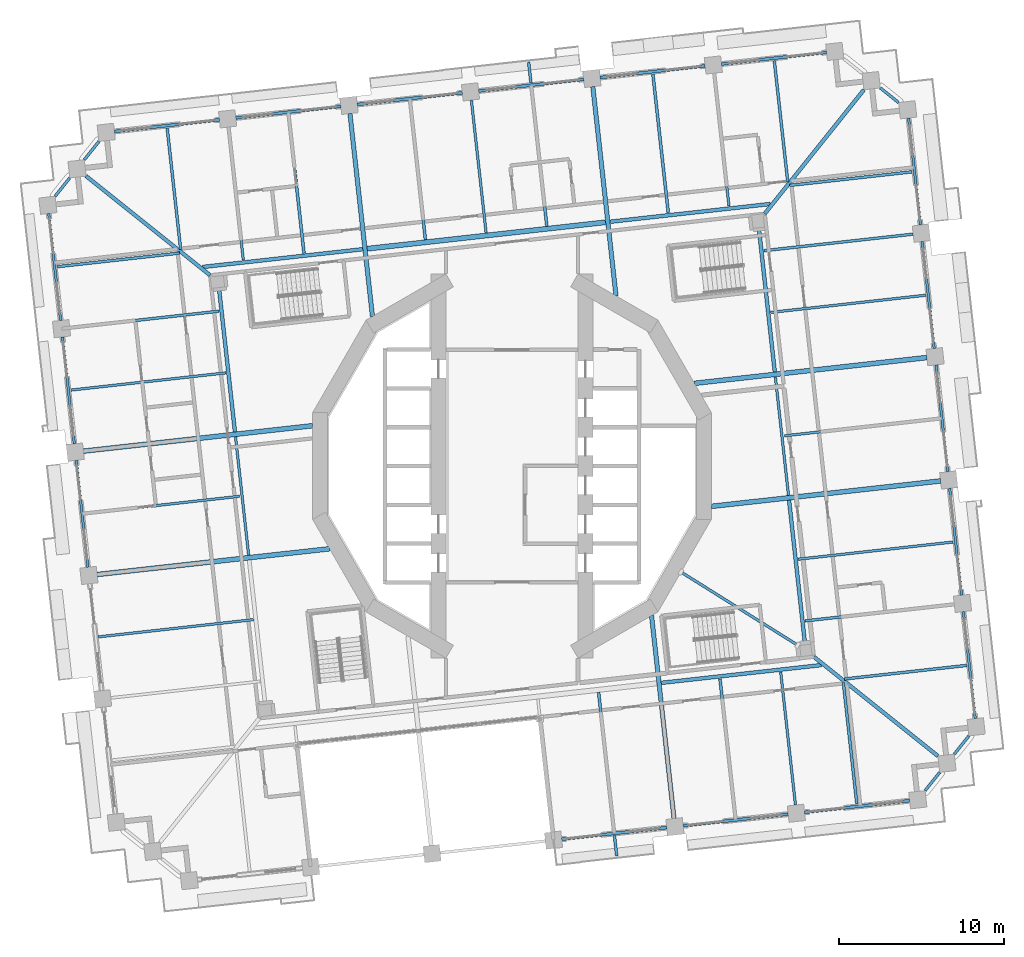
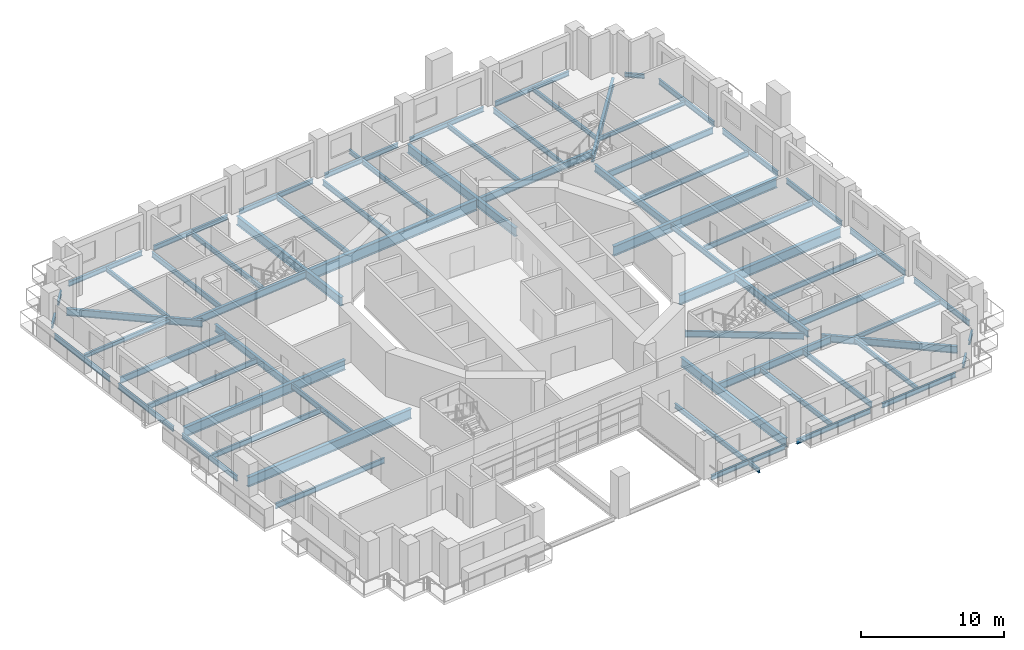
# One storey, part 4 of 21: 69 beams.
"""IFC4 building model written with IfcOpenShell, lengths in metres."""

from ifc_helpers import new_model, si_unit, direction, frame, origin, origin_2d, place, context, subcontext, project, spatial, i_section, extrude, material, material_profile, profile_set, type_object, element, save


model = new_model("IFC4")

# Units and contexts
model_context = context("Model", 3, precision=1e-05, world=origin(), true_north=direction((0.0, 1.0)))
body_context = subcontext(model_context, "Body", "Model", "MODEL_VIEW")
ifc_project = project(units=[si_unit("LENGTHUNIT", "METRE"), si_unit("AREAUNIT", "SQUARE_METRE"), si_unit("VOLUMEUNIT", "CUBIC_METRE"), si_unit("PLANEANGLEUNIT", "RADIAN"), si_unit("MASSUNIT", "GRAM", prefix="KILO")], contexts=[model_context])

# Site, building, storey
site_placement = place(None, origin())
site = spatial("IfcSite", under=ifc_project, at=site_placement, CompositionType="ELEMENT")
building_placement = place(site_placement, origin())
building = spatial("IfcBuilding", under=site, at=building_placement, Name="Cantera Rosa Tower", CompositionType="ELEMENT")
storey_placement = place(building_placement, frame((0.0, 0.0, 80.5)))
storey = spatial("IfcBuildingStorey", under=building, at=storey_placement, Name="L17", CompositionType="ELEMENT", Elevation=80.5)

# Beams
ifc_material_1 = material(Name="Steel ASTM A992 (Fy 345 MPa)", Category="steel")
ifc_material_profile_1 = material_profile(ifc_material_1, i_section(OverallWidth=0.154052734375, OverallDepth=0.4599609375, WebThickness=0.009033203125, FlangeThickness=0.015380859375, FilletRadius=0.01025390625, at=origin_2d()), Name="W460X68")
ifc_profile_set_1 = profile_set([ifc_material_profile_1], Name="Steel ASTM A992 (Fy 345 MPa)")
beam_type_1 = type_object("IfcBeamType", Name="STEEL BEAM W460X68", PredefinedType="BEAM", material=ifc_profile_set_1)
beam_1_placement = place(storey_placement, frame((12.249755859375, 23.796630859375, -0.47998046875), z_axis=(0.110312435488, -0.993896959738, 0.0), x_axis=(0.993896959738, 0.110312435488, 0.0)))
element("IfcBeam", 1, at=beam_1_placement, inside=storey, type_object=beam_type_1, Name="G-Z1-05 L17", PredefinedType="BEAM", context=body_context, shape_type="SweptSolid", body=[
    extrude(i_section(OverallWidth=0.154052734375, OverallDepth=0.4599609375, WebThickness=0.009033203125, FlangeThickness=0.015380859375, FilletRadius=0.01025390625, at=origin_2d()), origin(), (0.0, 0.0, 1.0), 8.10009765625),
])
for number, where, z_axis, x_axis, name in (
    (2, (-2.4599609375, 22.163818359375, -0.47998046875), (0.110315740112, -0.993896592953, 0.0), (0.993896592953, 0.110315740112, 0.0), "G-Z1-07 L17"),
    (3, (-17.169677734375, 20.53125, -0.47998046875), (0.110315740112, -0.993896592953, 0.0), (0.993896592953, 0.110315740112, 0.0), "G-Z1-09 L17"),
    (4, (17.169677734375, -20.53125, -0.47998046875), (-0.110315740112, 0.993896592953, 0.0), (-0.993896592953, -0.110315740112, 0.0), "G-Z1-14 L17"),
):
    element("IfcBeam", number, at=place(storey_placement, frame(where, z_axis=z_axis, x_axis=x_axis)), inside=storey, type_object=beam_type_1, Name=name, PredefinedType="BEAM", context=body_context, shape_type="SweptSolid", body=[
        extrude(i_section(OverallWidth=0.154052734375, OverallDepth=0.4599609375, WebThickness=0.009033203125, FlangeThickness=0.015380859375, FilletRadius=0.01025390625, at=origin_2d()), origin(), (0.0, 0.0, 1.0), 8.099853515625),
    ])
for number, where, z_axis, x_axis, name in (
    (5, (16.747802734375, -1.7734375, -0.47998046875), (-0.110301629462, 0.993898159037, 0.0), (-0.993898159037, -0.110301629462, 0.0), "RB-Z1-08 L17"),
    (6, (-15.951416015625, -5.402587890625, -0.47998046875), (-0.110301629462, 0.993898159037, 0.0), (-0.993898159037, -0.110301629462, 0.0), "RB-Z1-11 L17"),
):
    element("IfcBeam", number, at=place(storey_placement, frame(where, z_axis=z_axis, x_axis=x_axis)), inside=storey, type_object=beam_type_1, Name=name, PredefinedType="BEAM", context=body_context, shape_type="SweptSolid", body=[
        extrude(i_section(OverallWidth=0.154052734375, OverallDepth=0.4599609375, WebThickness=0.009033203125, FlangeThickness=0.015380859375, FilletRadius=0.01025390625, at=origin_2d()), origin(), (0.0, 0.0, 1.0), 7.219970703125),
    ])
ifc_material_2 = material(Name="Steel ASTM A992 (Fy 345 MPa)", Category="steel")
ifc_material_profile_2 = material_profile(ifc_material_2, i_section(OverallWidth=0.166015625, OverallDepth=0.528076171875, WebThickness=0.009765625, FlangeThickness=0.013671875, FilletRadius=0.0126953125, at=origin_2d()), Name="W530X74")
ifc_profile_set_2 = profile_set([ifc_material_profile_2], Name="Steel ASTM A992 (Fy 345 MPa)")
beam_type_2 = type_object("IfcBeamType", Name="STEEL BEAM W530X74", PredefinedType="BEAM", material=ifc_profile_set_2)
for number, where, z_axis, x_axis, name in (
    (7, (26.78759765625, -8.376220703125, -0.513916015625), (-0.993899428859, -0.110290186845, 0.0), (0.110290186845, -0.993899428859, 0.0), "G-Z1-01 L17"),
    (8, (24.298828125, 14.046142578125, -0.513916015625), (-0.993896161189, -0.110319630049, 0.0), (0.110319630049, -0.993896161189, 0.0), "G-Z1-04 L17"),
    (9, (-26.78759765625, 8.376220703125, -0.513916015625), (0.993899428859, 0.110290186845, 0.0), (-0.110290186845, 0.993899428859, 0.0), "G-Z1-15 L17"),
):
    element("IfcBeam", number, at=place(storey_placement, frame(where, z_axis=z_axis, x_axis=x_axis)), inside=storey, type_object=beam_type_2, Name=name, PredefinedType="BEAM", context=body_context, shape_type="SweptSolid", body=[
        extrude(i_section(OverallWidth=0.166015625, OverallDepth=0.528076171875, WebThickness=0.009765625, FlangeThickness=0.013671875, FilletRadius=0.0126953125, at=origin_2d()), origin(), (0.0, 0.0, 1.0), 9.10009765625),
    ])
beam_2_placement = place(storey_placement, frame((17.302490234375, -10.8505859375, -0.513916015625), z_axis=(-0.847189957301, 0.531290105543, 0.0), x_axis=(-0.531290105543, -0.847189957301, 0.0)))
element("IfcBeam", 10, at=beam_2_placement, inside=storey, type_object=beam_type_2, Name="PG-Z1-01 L17", PredefinedType="BEAM", context=body_context, shape_type="SweptSolid", body=[
    extrude(i_section(OverallWidth=0.166015625, OverallDepth=0.528076171875, WebThickness=0.009765625, FlangeThickness=0.013671875, FilletRadius=0.0126953125, at=origin_2d()), origin(), (0.0, 0.0, 1.0), 8.34130859375),
])
ifc_material_3 = material(Name="Steel ASTM A992 (Fy 345 MPa)", Category="steel")
ifc_material_profile_3 = material_profile(ifc_material_3, i_section(OverallWidth=0.22802734375, OverallDepth=0.60205078125, WebThickness=0.010498046875, FlangeThickness=0.014892578125, FilletRadius=0.0126953125, at=origin_2d()), Name="W610X101")
ifc_profile_set_3 = profile_set([ifc_material_profile_3], Name="Steel ASTM A992 (Fy 345 MPa)")
beam_type_3 = type_object("IfcBeamType", Name="STEEL BEAM W610X101", PredefinedType="BEAM", material=ifc_profile_set_3)
beam_3_placement = place(storey_placement, frame((21.31591796875, 22.79052734375, -0.551025390625), z_axis=(-0.624787924463, -0.780794498857, 0.0), x_axis=(0.780794498857, -0.624787924463, 0.0)))
element("IfcBeam", 11, at=beam_3_placement, inside=storey, type_object=beam_type_3, Name="CB-Z1-01 L17", PredefinedType="BEAM", context=body_context, shape_type="SweptSolid", body=[
    extrude(i_section(OverallWidth=0.22802734375, OverallDepth=0.60205078125, WebThickness=0.010498046875, FlangeThickness=0.014892578125, FilletRadius=0.0126953125, at=origin_2d()), origin(), (0.0, 0.0, 1.0), 9.616455078125),
])
for number, where, z_axis, x_axis, name in (
    (12, (-25.794677734375, 17.561767578125, -0.551025390625), (0.78078211406, -0.62480340137, 0.0), (0.62480340137, 0.78078211406, 0.0), "CB-Z1-02 L17"),
    (13, (25.794677734375, -17.561767578125, -0.551025390625), (-0.78078211406, 0.62480340137, 0.0), (-0.62480340137, -0.78078211406, 0.0), "CB-Z1-04 L17"),
):
    element("IfcBeam", number, at=place(storey_placement, frame(where, z_axis=z_axis, x_axis=x_axis)), inside=storey, type_object=beam_type_3, Name=name, PredefinedType="BEAM", context=body_context, shape_type="SweptSolid", body=[
        extrude(i_section(OverallWidth=0.22802734375, OverallDepth=0.60205078125, WebThickness=0.010498046875, FlangeThickness=0.014892578125, FilletRadius=0.0126953125, at=origin_2d()), origin(), (0.0, 0.0, 1.0), 9.61669921875),
    ])
for number, where, z_axis, x_axis, name in (
    (14, (17.739501953125, -10.70849609375, -0.551025390625), (-0.110298932846, 0.993898458301, 0.0), (-0.993898458301, -0.110298932846, 0.0), "RB-Z1-07 L17"),
    (15, (15.918212890625, 5.70068359375, -0.551025390625), (-0.110298932846, 0.993898458301, 0.0), (-0.993898458301, -0.110298932846, 0.0), "RB-Z1-09 L17"),
    (16, (-16.781005859375, 2.071533203125, -0.551025390625), (-0.110298932846, 0.993898458301, 0.0), (-0.993898458301, -0.110298932846, 0.0), "RB-Z1-12 L17"),
):
    element("IfcBeam", number, at=place(storey_placement, frame(where, z_axis=z_axis, x_axis=x_axis)), inside=storey, type_object=beam_type_3, Name=name, PredefinedType="BEAM", context=body_context, shape_type="SweptSolid", body=[
        extrude(i_section(OverallWidth=0.22802734375, OverallDepth=0.60205078125, WebThickness=0.010498046875, FlangeThickness=0.014892578125, FilletRadius=0.0126953125, at=origin_2d()), origin(), (0.0, 0.0, 1.0), 8.68994140625),
    ])
ifc_material_4 = material(Name="Steel ASTM A992 (Fy 345 MPa)", Category="steel")
ifc_material_profile_4 = material_profile(ifc_material_4, i_section(OverallWidth=0.22900390625, OverallDepth=0.612060546875, WebThickness=0.011962890625, FlangeThickness=0.01953125, FilletRadius=0.0126953125, at=origin_2d()), Name="W610X125")
ifc_profile_set_4 = profile_set([ifc_material_profile_4], Name="Steel ASTM A992 (Fy 345 MPa)")
beam_type_4 = type_object("IfcBeamType", Name="STEEL BEAM W610X125", PredefinedType="BEAM", material=ifc_profile_set_4)
beam_4_placement = place(storey_placement, frame((-18.744384765625, 12.055908203125, -0.555908203125), z_axis=(0.993898383269, 0.110299608956, 0.0), x_axis=(-0.110299608956, 0.993898383269, 0.0)))
element("IfcBeam", 17, at=beam_4_placement, inside=storey, type_object=beam_type_4, Name="RB-Z1-01 L17", PredefinedType="BEAM", context=body_context, shape_type="SweptSolid", body=[
    extrude(i_section(OverallWidth=0.22900390625, OverallDepth=0.612060546875, WebThickness=0.011962890625, FlangeThickness=0.01953125, FilletRadius=0.0126953125, at=origin_2d()), origin(), (0.0, 0.0, 1.0), 9.750244140625),
])
beam_5_placement = place(storey_placement, frame((5.9541015625, 14.797119140625, -0.555908203125), z_axis=(0.993898078625, 0.110302354035, 0.0), x_axis=(-0.110302354035, 0.993898078625, 0.0)))
element("IfcBeam", 18, at=beam_5_placement, inside=storey, type_object=beam_type_4, Name="RB-Z1-03 L17", PredefinedType="BEAM", context=body_context, shape_type="SweptSolid", body=[
    extrude(i_section(OverallWidth=0.22900390625, OverallDepth=0.612060546875, WebThickness=0.011962890625, FlangeThickness=0.01953125, FilletRadius=0.0126953125, at=origin_2d()), origin(), (0.0, 0.0, 1.0), 9.75),
])
beam_6_placement = place(storey_placement, frame((9.0537109375, -13.13134765625, -0.555908203125), z_axis=(0.993898383269, 0.110299608956, 0.0), x_axis=(-0.110299608956, 0.993898383269, 0.0)))
element("IfcBeam", 19, at=beam_6_placement, inside=storey, type_object=beam_type_4, Name="RB-Z1-06 L17", PredefinedType="BEAM", context=body_context, shape_type="SweptSolid", body=[
    extrude(i_section(OverallWidth=0.22900390625, OverallDepth=0.612060546875, WebThickness=0.011962890625, FlangeThickness=0.01953125, FilletRadius=0.0126953125, at=origin_2d()), origin(), (0.0, 0.0, 1.0), 9.750244140625),
])
ifc_material_5 = material(Name="Steel ASTM A992 (Fy 345 MPa)", Category="steel")
ifc_material_profile_5 = material_profile(ifc_material_5, i_section(OverallWidth=0.26708984375, OverallDepth=0.75390625, WebThickness=0.01318359375, FlangeThickness=0.01708984375, FilletRadius=0.0166015625, at=origin_2d()), Name="W760X147")
ifc_profile_set_5 = profile_set([ifc_material_profile_5], Name="Steel ASTM A992 (Fy 345 MPa)")
beam_type_5 = type_object("IfcBeamType", Name="STEEL BEAM W760X147", PredefinedType="BEAM", material=ifc_profile_set_5)
beam_7_placement = place(storey_placement, frame((4.894775390625, 22.980224609375, -0.626953125), z_axis=(0.11031177493, -0.993897033053, 0.0), x_axis=(0.993897033053, 0.11031177493, 0.0)))
element("IfcBeam", 20, at=beam_7_placement, inside=storey, type_object=beam_type_5, Name="G-Z1-06 L17", PredefinedType="BEAM", context=body_context, shape_type="SweptSolid", body=[
    extrude(i_section(OverallWidth=0.26708984375, OverallDepth=0.75390625, WebThickness=0.01318359375, FlangeThickness=0.01708984375, FilletRadius=0.0166015625, at=origin_2d()), origin(), (0.0, 0.0, 1.0), 12.754638671875),
])
for number, where, z_axis, x_axis, name in (
    (21, (-9.814697265625, 21.34765625, -0.626953125), (0.110292782244, -0.993899140851, 0.0), (0.993899140851, 0.110292782244, 0.0), "G-Z1-08 L17"),
    (22, (9.814697265625, -21.34765625, -0.626953125), (-0.110292782244, 0.993899140851, 0.0), (-0.993899140851, -0.110292782244, 0.0), "G-Z1-13 L17"),
):
    element("IfcBeam", number, at=place(storey_placement, frame(where, z_axis=z_axis, x_axis=x_axis)), inside=storey, type_object=beam_type_5, Name=name, PredefinedType="BEAM", context=body_context, shape_type="SweptSolid", body=[
        extrude(i_section(OverallWidth=0.26708984375, OverallDepth=0.75390625, WebThickness=0.01318359375, FlangeThickness=0.01708984375, FilletRadius=0.0166015625, at=origin_2d()), origin(), (0.0, 0.0, 1.0), 12.360595703125),
    ])
ifc_material_6 = material(Name="Steel ASTM A992 (Fy 345 MPa)", Category="steel")
ifc_material_profile_6 = material_profile(ifc_material_6, i_section(OverallWidth=0.2919921875, OverallDepth=0.8359375, WebThickness=0.013916015625, FlangeThickness=0.018798828125, FilletRadius=0.017822265625, at=origin_2d()), Name="W840X176")
ifc_profile_set_6 = profile_set([ifc_material_profile_6], Name="Steel ASTM A992 (Fy 345 MPa)")
beam_type_6 = type_object("IfcBeamType", Name="STEEL BEAM W840X176", PredefinedType="BEAM", material=ifc_profile_set_6)
beam_8_placement = place(storey_placement, frame((25.9580078125, -0.902099609375, -0.66796875), z_axis=(-0.993898644981, -0.110297250672, 0.0), x_axis=(0.110297250672, -0.993898644981, 0.0)))
element("IfcBeam", 23, at=beam_8_placement, inside=storey, type_object=beam_type_6, Name="G-Z1-02 L17", PredefinedType="BEAM", context=body_context, shape_type="SweptSolid", body=[
    extrude(i_section(OverallWidth=0.2919921875, OverallDepth=0.8359375, WebThickness=0.013916015625, FlangeThickness=0.018798828125, FilletRadius=0.017822265625, at=origin_2d()), origin(), (0.0, 0.0, 1.0), 13.96923828125),
])
beam_9_placement = place(storey_placement, frame((25.12841796875, 6.572021484375, -0.66796875), z_axis=(-0.993897599241, -0.110306673519, 0.0), x_axis=(0.110306673519, -0.993897599241, 0.0)))
element("IfcBeam", 24, at=beam_9_placement, inside=storey, type_object=beam_type_6, Name="G-Z1-03 L17", PredefinedType="BEAM", context=body_context, shape_type="SweptSolid", body=[
    extrude(i_section(OverallWidth=0.2919921875, OverallDepth=0.8359375, WebThickness=0.013916015625, FlangeThickness=0.018798828125, FilletRadius=0.017822265625, at=origin_2d()), origin(), (0.0, 0.0, 1.0), 14.1650390625),
])
beam_10_placement = place(storey_placement, frame((-25.9580078125, 0.902099609375, -0.66796875), z_axis=(0.993898644981, 0.110297250672, 0.0), x_axis=(-0.110297250672, 0.993898644981, 0.0)))
element("IfcBeam", 25, at=beam_10_placement, inside=storey, type_object=beam_type_6, Name="G-Z1-16 L17", PredefinedType="BEAM", context=body_context, shape_type="SweptSolid", body=[
    extrude(i_section(OverallWidth=0.2919921875, OverallDepth=0.8359375, WebThickness=0.013916015625, FlangeThickness=0.018798828125, FilletRadius=0.017822265625, at=origin_2d()), origin(), (0.0, 0.0, 1.0), 13.96923828125),
])
beam_11_placement = place(storey_placement, frame((-25.12841796875, -6.572021484375, -0.66796875), z_axis=(0.993897599241, 0.110306673519, 0.0), x_axis=(-0.110306673519, 0.993897599241, 0.0)))
element("IfcBeam", 26, at=beam_11_placement, inside=storey, type_object=beam_type_6, Name="G-Z1-17 L17", PredefinedType="BEAM", context=body_context, shape_type="SweptSolid", body=[
    extrude(i_section(OverallWidth=0.2919921875, OverallDepth=0.8359375, WebThickness=0.013916015625, FlangeThickness=0.018798828125, FilletRadius=0.017822265625, at=origin_2d()), origin(), (0.0, 0.0, 1.0), 14.1650390625),
])
ifc_material_7 = material(Name="Steel ASTM A992 (Fy 345 MPa)", Category="steel")
ifc_material_profile_7 = material_profile(ifc_material_7, i_section(OverallWidth=0.304931640625, OverallDepth=0.9189453125, WebThickness=0.017333984375, FlangeThickness=0.02783203125, FilletRadius=0.01904296875, at=origin_2d()), Name="W920X253")
ifc_profile_set_7 = profile_set([ifc_material_profile_7], Name="Steel ASTM A992 (Fy 345 MPa)")
beam_type_7 = type_object("IfcBeamType", Name="STEEL BEAM W920X253", PredefinedType="BEAM", material=ifc_profile_set_7)
beam_12_placement = place(storey_placement, frame((-8.755615234375, 13.16455078125, -0.70947265625), z_axis=(0.993898099692, 0.110302164209, 0.0), x_axis=(-0.110302164209, 0.993898099692, 0.0)))
element("IfcBeam", 27, at=beam_12_placement, inside=storey, type_object=beam_type_7, Name="RB-Z1-02 L17", PredefinedType="BEAM", context=body_context, shape_type="SweptSolid", body=[
    extrude(i_section(OverallWidth=0.304931640625, OverallDepth=0.9189453125, WebThickness=0.017333984375, FlangeThickness=0.02783203125, FilletRadius=0.01904296875, at=origin_2d()), origin(), (0.0, 0.0, 1.0), 14.499755859375),
])
ifc_material_8 = material(Name="Steel ASTM A992 (Fy 345 MPa)", Category="steel")
ifc_material_profile_8 = material_profile(ifc_material_8, i_section(OverallWidth=0.1708984375, OverallDepth=0.35595703125, WebThickness=0.00732421875, FlangeThickness=0.01171875, FilletRadius=0.010009765625, at=origin_2d()), Name="W360X51")
ifc_profile_set_8 = profile_set([ifc_material_profile_8], Name="Steel ASTM A992 (Fy 345 MPa)")
beam_type_8 = type_object("IfcBeamType", Name="STEEL JOIST W360X51", PredefinedType="JOIST", material=ifc_profile_set_8)
for number, where, z_axis, x_axis, name in (
    (28, (27.550048828125, -12.074462890625, -0.427978515625), (-0.993895702238, -0.110323764768, 0.0), (0.110323764768, -0.993895702238, 0.0), "B-Z1-01 L17"),
    (29, (24.23193359375, 17.82177734375, -0.427978515625), (-0.993899688369, -0.110287848199, 0.0), (0.110287848199, -0.993899688369, 0.0), "B-Z1-05 L17"),
):
    element("IfcBeam", number, at=place(storey_placement, frame(where, z_axis=z_axis, x_axis=x_axis)), inside=storey, type_object=beam_type_8, Name=name, PredefinedType="JOIST", context=body_context, shape_type="SweptSolid", body=[
        extrude(i_section(OverallWidth=0.1708984375, OverallDepth=0.35595703125, WebThickness=0.00732421875, FlangeThickness=0.01171875, FilletRadius=0.010009765625, at=origin_2d()), origin(), (0.0, 0.0, 1.0), 7.4599609375),
    ])
for number, where, z_axis, x_axis, name in (
    (30, (15.888427734375, 24.552490234375, -0.427978515625), (0.110326513132, -0.993895397162, 0.0), (0.993895397162, 0.110326513132, 0.0), "B-Z1-06 L17"),
    (31, (-20.8857421875, 20.470947265625, -0.427978515625), (0.110326513132, -0.993895397162, 0.0), (0.993895397162, 0.110326513132, 0.0), "B-Z1-11 L17"),
    (32, (20.8857421875, -20.470947265625, -0.427978515625), (-0.110326513132, 0.993895397162, 0.0), (-0.993895397162, -0.110326513132, 0.0), "B-Z1-17 L17"),
):
    element("IfcBeam", number, at=place(storey_placement, frame(where, z_axis=z_axis, x_axis=x_axis)), inside=storey, type_object=beam_type_8, Name=name, PredefinedType="JOIST", context=body_context, shape_type="SweptSolid", body=[
        extrude(i_section(OverallWidth=0.1708984375, OverallDepth=0.35595703125, WebThickness=0.00732421875, FlangeThickness=0.01171875, FilletRadius=0.010009765625, at=origin_2d()), origin(), (0.0, 0.0, 1.0), 7.39990234375),
    ])
beam_13_placement = place(storey_placement, frame((-27.550048828125, 12.074462890625, -0.427978515625), z_axis=(0.993895702238, 0.110323764768, 0.0), x_axis=(-0.110323764768, 0.993895702238, 0.0)))
element("IfcBeam", 33, at=beam_13_placement, inside=storey, type_object=beam_type_8, Name="B-Z1-18 L17", PredefinedType="JOIST", context=body_context, shape_type="SweptSolid", body=[
    extrude(i_section(OverallWidth=0.1708984375, OverallDepth=0.35595703125, WebThickness=0.00732421875, FlangeThickness=0.01171875, FilletRadius=0.010009765625, at=origin_2d()), origin(), (0.0, 0.0, 1.0), 7.4599609375),
])
beam_14_placement = place(storey_placement, frame((1.14794921875, 23.1982421875, -0.427978515625), z_axis=(-0.110220767472, 0.993907129675, 0.0), x_axis=(-0.993907129675, -0.110220767472, 0.0)))
element("IfcBeam", 34, at=beam_14_placement, inside=storey, type_object=beam_type_8, Name="BS-Z1-22 L17", PredefinedType="JOIST", context=body_context, shape_type="SweptSolid", body=[
    extrude(i_section(OverallWidth=0.1708984375, OverallDepth=0.35595703125, WebThickness=0.00732421875, FlangeThickness=0.01171875, FilletRadius=0.010009765625, at=origin_2d()), origin(), (0.0, 0.0, 1.0), 1.271484375),
])
beam_15_placement = place(storey_placement, frame((6.206787109375, -22.3818359375, -0.427978515625), z_axis=(0.110345783203, -0.993893257915, 0.0), x_axis=(0.993893257915, 0.110345783203, 0.0)))
element("IfcBeam", 35, at=beam_15_placement, inside=storey, type_object=beam_type_8, Name="BS-Z1-23 L17", PredefinedType="JOIST", context=body_context, shape_type="SweptSolid", body=[
    extrude(i_section(OverallWidth=0.1708984375, OverallDepth=0.35595703125, WebThickness=0.00732421875, FlangeThickness=0.01171875, FilletRadius=0.010009765625, at=origin_2d()), origin(), (0.0, 0.0, 1.0), 1.25),
])
ifc_material_9 = material(Name="Steel ASTM A992 (Fy 345 MPa)", Category="steel")
ifc_material_profile_9 = material_profile(ifc_material_9, i_section(OverallWidth=0.177978515625, OverallDepth=0.406005859375, WebThickness=0.0078125, FlangeThickness=0.0126953125, FilletRadius=0.01025390625, at=origin_2d()), Name="W410X60")
ifc_profile_set_9 = profile_set([ifc_material_profile_9], Name="Steel ASTM A992 (Fy 345 MPa)")
beam_type_9 = type_object("IfcBeamType", Name="STEEL JOIST W410X60", PredefinedType="JOIST", material=ifc_profile_set_9)
for number, where, z_axis, x_axis, name in (
    (36, (8.53369140625, 23.736328125, -0.452880859375), (0.110311022989, -0.99389711651, 0.0), (0.99389711651, 0.110311022989, 0.0), "B-Z1-07 L17"),
    (37, (1.178955078125, 22.919921875, -0.452880859375), (0.110311022989, -0.99389711651, 0.0), (0.99389711651, 0.110311022989, 0.0), "B-Z1-08 L17"),
    (38, (-6.176025390625, 22.103515625, -0.452880859375), (0.110311022989, -0.99389711651, 0.0), (0.99389711651, 0.110311022989, 0.0), "B-Z1-09 L17"),
    (39, (-13.53076171875, 21.287353515625, -0.452880859375), (0.110311022989, -0.99389711651, 0.0), (0.99389711651, 0.110311022989, 0.0), "B-Z1-10 L17"),
    (40, (6.176025390625, -22.103515625, -0.452880859375), (-0.110311022989, 0.99389711651, 0.0), (-0.99389711651, -0.110311022989, 0.0), "B-Z1-15 L17"),
    (41, (13.53076171875, -21.287353515625, -0.452880859375), (-0.110311022989, 0.99389711651, 0.0), (-0.99389711651, -0.110311022989, 0.0), "B-Z1-16 L17"),
):
    element("IfcBeam", number, at=place(storey_placement, frame(where, z_axis=z_axis, x_axis=x_axis)), inside=storey, type_object=beam_type_9, Name=name, PredefinedType="JOIST", context=body_context, shape_type="SweptSolid", body=[
        extrude(i_section(OverallWidth=0.177978515625, OverallDepth=0.406005859375, WebThickness=0.0078125, FlangeThickness=0.0126953125, FilletRadius=0.01025390625, at=origin_2d()), origin(), (0.0, 0.0, 1.0), 8.449951171875),
    ])
ifc_material_10 = material(Name="Steel ASTM A992 (Fy 345 MPa)", Category="steel")
ifc_material_profile_10 = material_profile(ifc_material_10, i_section(OverallWidth=0.154052734375, OverallDepth=0.4599609375, WebThickness=0.009033203125, FlangeThickness=0.015380859375, FilletRadius=0.01025390625, at=origin_2d()), Name="W460X68")
ifc_profile_set_10 = profile_set([ifc_material_profile_10], Name="Steel ASTM A992 (Fy 345 MPa)")
beam_type_10 = type_object("IfcBeamType", Name="STEEL JOIST W460X68", PredefinedType="JOIST", material=ifc_profile_set_10)
for number, where, z_axis, x_axis, name in (
    (42, (26.720458984375, -4.600341796875, -0.47998046875), (-0.993896645353, -0.110315268011, 0.0), (0.110315268011, -0.993896645353, 0.0), "B-Z1-02 L17"),
    (43, (25.89111328125, 2.87353515625, -0.47998046875), (-0.993899477629, -0.110289747342, 0.0), (0.110289747342, -0.993899477629, 0.0), "B-Z1-03 L17"),
    (44, (25.0615234375, 10.34765625, -0.47998046875), (-0.993896645353, -0.110315268011, 0.0), (0.110315268011, -0.993896645353, 0.0), "B-Z1-04 L17"),
    (45, (-26.720458984375, 4.600341796875, -0.47998046875), (0.993896645353, 0.110315268011, 0.0), (-0.110315268011, 0.993896645353, 0.0), "B-Z1-19 L17"),
    (46, (-25.89111328125, -2.87353515625, -0.47998046875), (0.993899477629, 0.110289747342, 0.0), (-0.110289747342, 0.993899477629, 0.0), "B-Z1-20 L17"),
    (47, (-25.0615234375, -10.34765625, -0.47998046875), (0.993896645353, 0.110315268011, 0.0), (-0.110315268011, 0.993896645353, 0.0), "B-Z1-21 L17"),
):
    element("IfcBeam", number, at=place(storey_placement, frame(where, z_axis=z_axis, x_axis=x_axis)), inside=storey, type_object=beam_type_10, Name=name, PredefinedType="JOIST", context=body_context, shape_type="SweptSolid", body=[
        extrude(i_section(OverallWidth=0.154052734375, OverallDepth=0.4599609375, WebThickness=0.009033203125, FlangeThickness=0.015380859375, FilletRadius=0.01025390625, at=origin_2d()), origin(), (0.0, 0.0, 1.0), 9.449951171875),
    ])
ifc_material_11 = material(Name="Steel ASTM A992 (Fy 345 MPa)", Category="steel")
ifc_material_profile_11 = material_profile(ifc_material_11, i_section(OverallWidth=0.1708984375, OverallDepth=0.35595703125, WebThickness=0.00732421875, FlangeThickness=0.01171875, FilletRadius=0.010009765625, at=origin_2d()), Name="W360X51")
ifc_profile_set_11 = profile_set([ifc_material_profile_11], Name="Steel ASTM A992 (Fy 345 MPa)")
beam_type_11 = type_object("IfcBeamType", Name="STEEL SPANDREL BEAM W360X51", PredefinedType="SPANDREL", material=ifc_profile_set_11)
for number, where, z_axis, x_axis, name in (
    (48, (23.4140625, 22.017333984375, -0.427978515625), (-0.780818280208, 0.624758203863, 0.0), (-0.624758203863, -0.780818280208, 0.0), "EB-Z1-06 L17"),
    (49, (-25.021484375, 19.659912109375, -0.427978515625), (-0.624758203863, -0.780818280208, 0.0), (0.780818280208, -0.624758203863, 0.0), "EB-Z1-14 L17"),
    (50, (-26.78857421875, 17.451416015625, -0.427978515625), (-0.624758203863, -0.780818280208, 0.0), (0.780818280208, -0.624758203863, 0.0), "EB-Z1-15 L17"),
    (51, (25.021484375, -19.659912109375, -0.427978515625), (0.624758203863, 0.780818280208, 0.0), (-0.780818280208, 0.624758203863, 0.0), "EB-Z1-29 L17"),
    (52, (26.78857421875, -17.451416015625, -0.427978515625), (0.624758203863, 0.780818280208, 0.0), (-0.780818280208, 0.624758203863, 0.0), "EB-Z1-30 L17"),
):
    element("IfcBeam", number, at=place(storey_placement, frame(where, z_axis=z_axis, x_axis=x_axis)), inside=storey, type_object=beam_type_11, Name=name, PredefinedType="SPANDREL", context=body_context, shape_type="SweptSolid", body=[
        extrude(i_section(OverallWidth=0.1708984375, OverallDepth=0.35595703125, WebThickness=0.00732421875, FlangeThickness=0.01171875, FilletRadius=0.010009765625, at=origin_2d()), origin(), (0.0, 0.0, 1.0), 1.414306640625),
    ])
ifc_material_12 = material(Name="Steel ASTM A992 (Fy 345 MPa)", Category="steel")
ifc_material_profile_12 = material_profile(ifc_material_12, i_section(OverallWidth=0.177978515625, OverallDepth=0.406005859375, WebThickness=0.0078125, FlangeThickness=0.0126953125, FilletRadius=0.01025390625, at=origin_2d()), Name="W410X60")
ifc_profile_set_12 = profile_set([ifc_material_profile_12], Name="Steel ASTM A992 (Fy 345 MPa)")
beam_type_12 = type_object("IfcBeamType", Name="STEEL SPANDREL BEAM W410X60", PredefinedType="SPANDREL", material=ifc_profile_set_12)
beam_16_placement = place(storey_placement, frame((19.052490234375, 25.0546875, -0.452880859375), z_axis=(-0.993896288542, -0.110318482689, 0.0), x_axis=(0.110318482689, -0.993896288542, 0.0)))
element("IfcBeam", 53, at=beam_16_placement, inside=storey, type_object=beam_type_12, Name="EB-Z1-08 L17", PredefinedType="SPANDREL", context=body_context, shape_type="SweptSolid", body=[
    extrude(i_section(OverallWidth=0.177978515625, OverallDepth=0.406005859375, WebThickness=0.0078125, FlangeThickness=0.0126953125, FilletRadius=0.01025390625, at=origin_2d()), origin(), (0.0, 0.0, 1.0), 6.400146484375),
])
for number, where, z_axis, x_axis, name in (
    (54, (11.697509765625, 24.23828125, -0.452880859375), (-0.993895824271, -0.110322665379, 0.0), (0.110322665379, -0.993895824271, 0.0), "EB-Z1-09 L17"),
    (55, (4.3427734375, 23.422119140625, -0.452880859375), (-0.993895824271, -0.110322665379, 0.0), (0.110322665379, -0.993895824271, 0.0), "EB-Z1-10 L17"),
):
    element("IfcBeam", number, at=place(storey_placement, frame(where, z_axis=z_axis, x_axis=x_axis)), inside=storey, type_object=beam_type_12, Name=name, PredefinedType="SPANDREL", context=body_context, shape_type="SweptSolid", body=[
        extrude(i_section(OverallWidth=0.177978515625, OverallDepth=0.406005859375, WebThickness=0.0078125, FlangeThickness=0.0126953125, FilletRadius=0.01025390625, at=origin_2d()), origin(), (0.0, 0.0, 1.0), 6.39990234375),
    ])
beam_17_placement = place(storey_placement, frame((-3.011962890625, 22.605712890625, -0.452880859375), z_axis=(-0.993896288542, -0.110318482689, 0.0), x_axis=(0.110318482689, -0.993896288542, 0.0)))
element("IfcBeam", 56, at=beam_17_placement, inside=storey, type_object=beam_type_12, Name="EB-Z1-11 L17", PredefinedType="SPANDREL", context=body_context, shape_type="SweptSolid", body=[
    extrude(i_section(OverallWidth=0.177978515625, OverallDepth=0.406005859375, WebThickness=0.0078125, FlangeThickness=0.0126953125, FilletRadius=0.01025390625, at=origin_2d()), origin(), (0.0, 0.0, 1.0), 6.400146484375),
])
beam_18_placement = place(storey_placement, frame((-10.366943359375, 21.789306640625, -0.452880859375), z_axis=(-0.993900006422, -0.110284981906, 0.0), x_axis=(0.110284981906, -0.993900006422, 0.0)))
element("IfcBeam", 57, at=beam_18_placement, inside=storey, type_object=beam_type_12, Name="EB-Z1-12 L17", PredefinedType="SPANDREL", context=body_context, shape_type="SweptSolid", body=[
    extrude(i_section(OverallWidth=0.177978515625, OverallDepth=0.406005859375, WebThickness=0.0078125, FlangeThickness=0.0126953125, FilletRadius=0.01025390625, at=origin_2d()), origin(), (0.0, 0.0, 1.0), 6.39990234375),
])
for number, where, z_axis, x_axis, name in (
    (58, (-17.7216796875, 20.97314453125, -0.452880859375), (-0.993896288542, -0.110318482689, 0.0), (0.110318482689, -0.993896288542, 0.0), "EB-Z1-13 L17"),
    (59, (3.011962890625, -22.605712890625, -0.452880859375), (0.993896288542, 0.110318482689, 0.0), (-0.110318482689, 0.993896288542, 0.0), "EB-Z1-26 L17"),
):
    element("IfcBeam", number, at=place(storey_placement, frame(where, z_axis=z_axis, x_axis=x_axis)), inside=storey, type_object=beam_type_12, Name=name, PredefinedType="SPANDREL", context=body_context, shape_type="SweptSolid", body=[
        extrude(i_section(OverallWidth=0.177978515625, OverallDepth=0.406005859375, WebThickness=0.0078125, FlangeThickness=0.0126953125, FilletRadius=0.01025390625, at=origin_2d()), origin(), (0.0, 0.0, 1.0), 6.400146484375),
    ])
beam_19_placement = place(storey_placement, frame((10.366943359375, -21.789306640625, -0.452880859375), z_axis=(0.993900006422, 0.110284981906, 0.0), x_axis=(-0.110284981906, 0.993900006422, 0.0)))
element("IfcBeam", 60, at=beam_19_placement, inside=storey, type_object=beam_type_12, Name="EB-Z1-27 L17", PredefinedType="SPANDREL", context=body_context, shape_type="SweptSolid", body=[
    extrude(i_section(OverallWidth=0.177978515625, OverallDepth=0.406005859375, WebThickness=0.0078125, FlangeThickness=0.0126953125, FilletRadius=0.01025390625, at=origin_2d()), origin(), (0.0, 0.0, 1.0), 6.39990234375),
])
beam_20_placement = place(storey_placement, frame((17.7216796875, -20.97314453125, -0.452880859375), z_axis=(0.993896288542, 0.110318482689, 0.0), x_axis=(-0.110318482689, 0.993896288542, 0.0)))
element("IfcBeam", 61, at=beam_20_placement, inside=storey, type_object=beam_type_12, Name="EB-Z1-28 L17", PredefinedType="SPANDREL", context=body_context, shape_type="SweptSolid", body=[
    extrude(i_section(OverallWidth=0.177978515625, OverallDepth=0.406005859375, WebThickness=0.0078125, FlangeThickness=0.0126953125, FilletRadius=0.01025390625, at=origin_2d()), origin(), (0.0, 0.0, 1.0), 6.400146484375),
])
ifc_material_13 = material(Name="Steel ASTM A992 (Fy 345 MPa)", Category="steel")
ifc_material_profile_13 = material_profile(ifc_material_13, i_section(OverallWidth=0.154052734375, OverallDepth=0.4599609375, WebThickness=0.009033203125, FlangeThickness=0.015380859375, FilletRadius=0.01025390625, at=origin_2d()), Name="W460X68")
ifc_profile_set_13 = profile_set([ifc_material_profile_13], Name="Steel ASTM A992 (Fy 345 MPa)")
beam_type_13 = type_object("IfcBeamType", Name="STEEL SPANDREL BEAM W460X68", PredefinedType="SPANDREL", material=ifc_profile_set_13)
for number, where, z_axis, x_axis, name in (
    (62, (28.058837890625, -15.298095703125, -0.47998046875), (-0.110312341265, 0.993896970196, 0.0), (-0.993896970196, -0.110312341265, 0.0), "EB-Z1-01 L17"),
    (63, (27.229248046875, -7.823974609375, -0.47998046875), (-0.110312341265, 0.993896970196, 0.0), (-0.993896970196, -0.110312341265, 0.0), "EB-Z1-02 L17"),
    (64, (26.399658203125, -0.349853515625, -0.47998046875), (-0.110312341265, 0.993896970196, 0.0), (-0.993896970196, -0.110312341265, 0.0), "EB-Z1-03 L17"),
    (65, (25.570068359375, 7.124267578125, -0.47998046875), (-0.110312341265, 0.993896970196, 0.0), (-0.993896970196, -0.110312341265, 0.0), "EB-Z1-04 L17"),
    (66, (24.74072265625, 14.598388671875, -0.47998046875), (-0.110312341265, 0.993896970196, 0.0), (-0.993896970196, -0.110312341265, 0.0), "EB-Z1-05 L17"),
    (67, (-28.058837890625, 15.298095703125, -0.47998046875), (0.110312341265, -0.993896970196, 0.0), (0.993896970196, 0.110312341265, 0.0), "EB-Z1-16 L17"),
    (68, (-27.229248046875, 7.823974609375, -0.47998046875), (0.110312341265, -0.993896970196, 0.0), (0.993896970196, 0.110312341265, 0.0), "EB-Z1-17 L17"),
    (69, (-26.399658203125, 0.349853515625, -0.47998046875), (0.110312341265, -0.993896970196, 0.0), (0.993896970196, 0.110312341265, 0.0), "EB-Z1-18 L17"),
):
    element("IfcBeam", number, at=place(storey_placement, frame(where, z_axis=z_axis, x_axis=x_axis)), inside=storey, type_object=beam_type_13, Name=name, PredefinedType="SPANDREL", context=body_context, shape_type="SweptSolid", body=[
        extrude(i_section(OverallWidth=0.154052734375, OverallDepth=0.4599609375, WebThickness=0.009033203125, FlangeThickness=0.015380859375, FilletRadius=0.01025390625, at=origin_2d()), origin(), (0.0, 0.0, 1.0), 6.52001953125),
    ])

save(model, "model.ifc")
